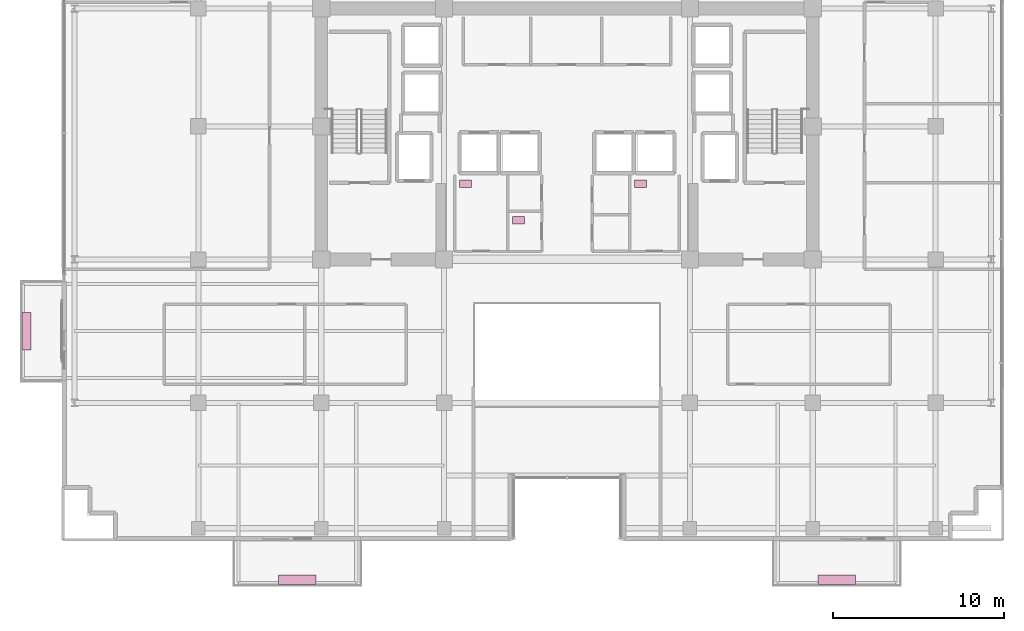
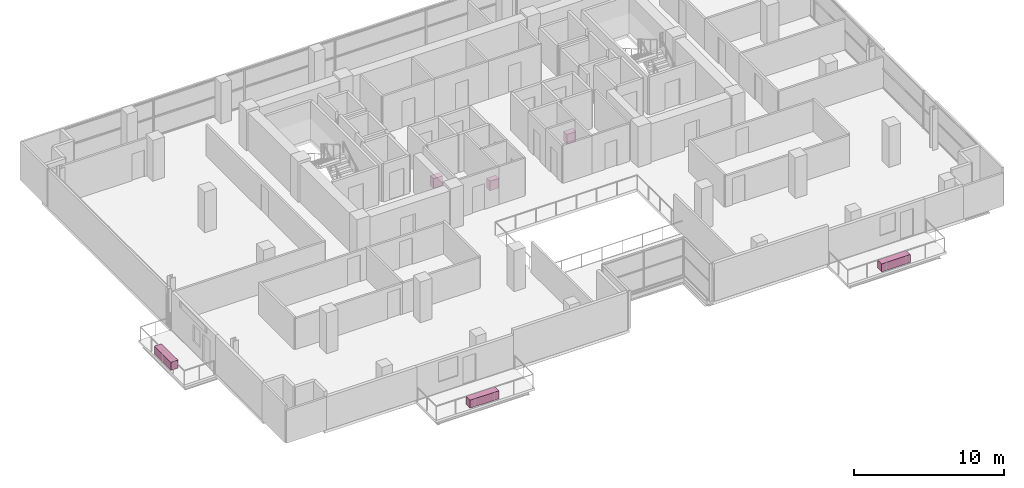
# One storey, part 27 of 27: 6 furnishings.
"""IFC4 building model written with IfcOpenShell, lengths in metres."""

from ifc_helpers import new_model, si_unit, direction, frame, origin, origin_2d, place, context, subcontext, project, spatial, rectangle, extrude, source, transform, mapped, material, type_object, element, save


model = new_model("IFC4")

# Units and contexts
model_context = context("Model", 3, precision=1e-05, world=origin(), true_north=direction((0.0, 1.0)))
body_context = subcontext(model_context, "Body", "Model", "MODEL_VIEW")
ifc_project = project(units=[si_unit("LENGTHUNIT", "METRE"), si_unit("AREAUNIT", "SQUARE_METRE"), si_unit("VOLUMEUNIT", "CUBIC_METRE"), si_unit("PLANEANGLEUNIT", "RADIAN"), si_unit("MASSUNIT", "GRAM", prefix="KILO")], contexts=[model_context])

# Site, building, storey
site_placement = place(None, origin())
site = spatial("IfcSite", under=ifc_project, at=site_placement, CompositionType="ELEMENT")
building_placement = place(site_placement, origin())
building = spatial("IfcBuilding", under=site, at=building_placement, Name="Zarnakvel Exchange Tower", CompositionType="ELEMENT")
storey_placement = place(building_placement, frame((0.0, 0.0, 96.699951171875)))
storey = spatial("IfcBuildingStorey", under=building, at=storey_placement, Name="L26", CompositionType="ELEMENT", Elevation=96.699951171875)

# Furnishings
ifc_material_1 = material(Name="Architectural Bronze Anodised Aluminium", Category="aluminium")
furnishing_element_type_1 = type_object("IfcFurnishingElementType", Name="PLNT-01", material=ifc_material_1)
shared_shape_1 = source(origin(), body_context, "Body", "SweptSolid", [
    extrude(rectangle(XDim=2.199951171875, YDim=0.550048828125, at=origin_2d()), origin(), (0.0, 0.0, 1.0), 0.64990234375),
])
for number, where, z_axis, x_axis, name in (
    (1, (-15.800048828125, -19.969970703125, -0.034912109375), (0.0, 0.0, 1.0), (1.0, 0.0, 0.0), "L26 Balcony Greenery Planter BAL-L26-SW"),
    (2, (15.800048828125, -19.969970703125, -0.034912109375), (0.0, 0.0, 1.0), (1.0, 0.0, 0.0), "L26 Balcony Greenery Planter BAL-L26-SE"),
    (3, (-31.669921875, -5.39990234375, -0.034912109375), (0.0, 0.0, 1.0), (0.0, 1.0, 0.0), "L26 Balcony Greenery Planter BAL-L26-W"),
):
    element("IfcFurnishingElement", number, at=place(storey_placement, frame(where, z_axis=z_axis, x_axis=x_axis)), inside=storey, type_object=furnishing_element_type_1, Name=name, ObjectType="PLANTER", context=body_context, shape_type="MappedRepresentation", body=[
        mapped(shared_shape_1, transform((0.0, 0.0, 0.0), x_axis=(1.0, 0.0, 0.0), y_axis=(0.0, 1.0, 0.0), z_axis=(0.0, 0.0, 1.0), scale=1.0)),
    ])
ifc_material_2 = material(Name="Vitreous China Sanitaryware", Category="ceramic")
furnishing_element_type_2 = type_object("IfcFurnishingElementType", Name="SAN-WC", material=ifc_material_2)
shared_shape_2 = source(origin(), body_context, "Body", "SweptSolid", [
    extrude(rectangle(XDim=0.699951171875, YDim=0.449951171875, at=origin_2d()), origin(), (0.0, 0.0, 1.0), 0.780029296875),
])
for number, where, z_axis, x_axis, name in (
    (4, (-5.949951171875, 3.22998046875, 0.0), (0.0, 0.0, 1.0), (1.0, 0.0, 0.0), "L26 Sanitary Fixture (Male Toilet)"),
    (5, (-2.840087890625, 1.10009765625, 0.0), (0.0, 0.0, 1.0), (1.0, 0.0, 0.0), "L26 Sanitary Fixture (Accessible Toilet)"),
    (6, (4.31005859375, 3.22998046875, 0.0), (0.0, 0.0, 1.0), (1.0, 0.0, 0.0), "L26 Sanitary Fixture (Female Toilet)"),
):
    element("IfcFurnishingElement", number, at=place(storey_placement, frame(where, z_axis=z_axis, x_axis=x_axis)), inside=storey, type_object=furnishing_element_type_2, Name=name, ObjectType="SANITARY_FIXTURE", context=body_context, shape_type="MappedRepresentation", body=[
        mapped(shared_shape_2, transform((0.0, 0.0, 0.0), x_axis=(1.0, 0.0, 0.0), y_axis=(0.0, 1.0, 0.0), z_axis=(0.0, 0.0, 1.0), scale=1.0)),
    ])

save(model, "model.ifc")
